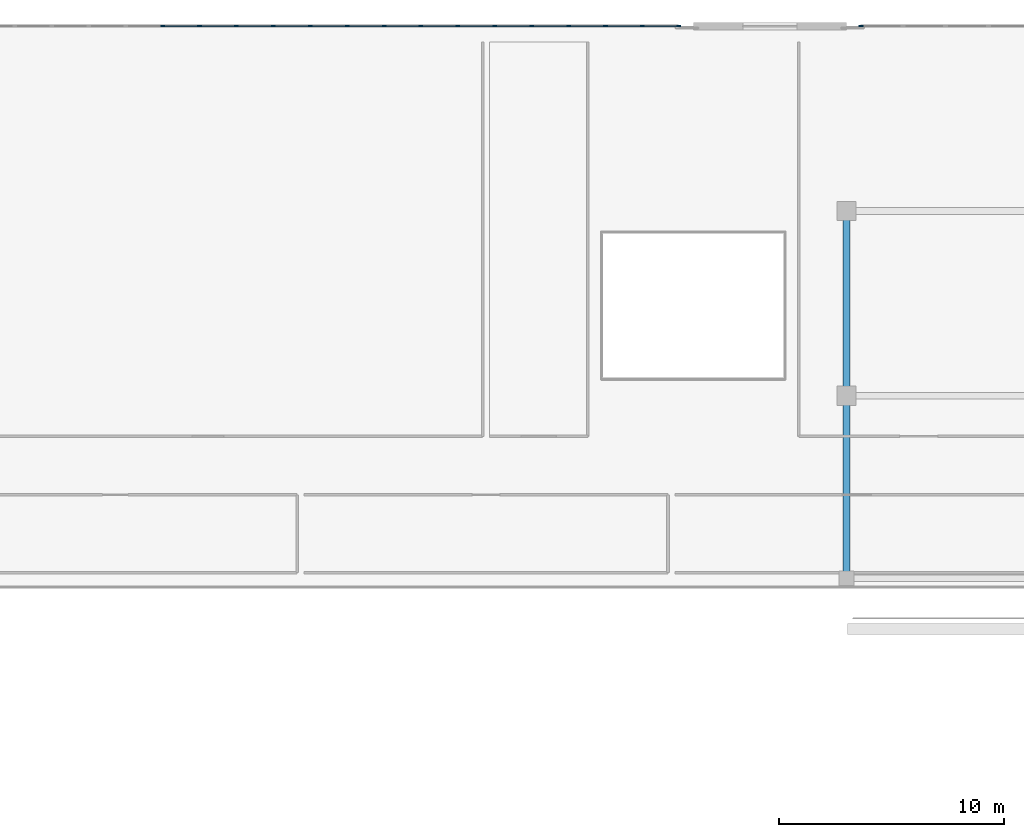
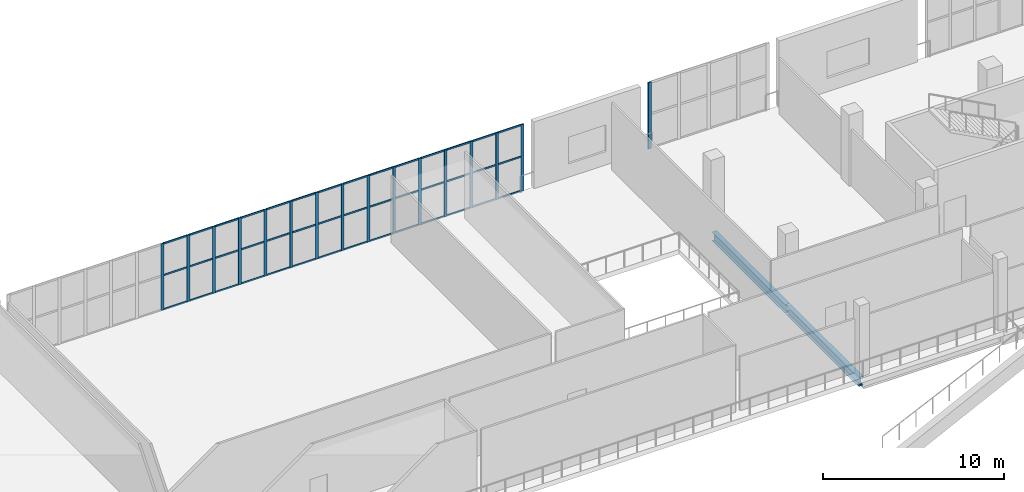
# One storey, part 53 of 129: 58 members, 2 beams, 2 elements without a shape of their own.
"""IFC4 building model written with IfcOpenShell, lengths in metres."""

from ifc_helpers import new_model, si_unit, direction, frame, origin, origin_2d, place, context, subcontext, project, spatial, rectangle, i_section, extrude, material, material_profile, profile_set, type_object, element, aggregate, save


model = new_model("IFC4")

# Units and contexts
model_context = context("Model", 3, precision=1e-05, world=origin(), true_north=direction((0.0, 1.0)))
body_context = subcontext(model_context, "Body", "Model", "MODEL_VIEW")
ifc_project = project(units=[si_unit("LENGTHUNIT", "METRE"), si_unit("AREAUNIT", "SQUARE_METRE"), si_unit("VOLUMEUNIT", "CUBIC_METRE"), si_unit("PLANEANGLEUNIT", "RADIAN"), si_unit("MASSUNIT", "GRAM", prefix="KILO")], contexts=[model_context])

# Site, building, storey
site_placement = place(None, origin())
site = spatial("IfcSite", under=ifc_project, at=site_placement, CompositionType="ELEMENT")
building_placement = place(site_placement, origin())
building = spatial("IfcBuilding", under=site, at=building_placement, Name="Koshinbarg Plaza Stadium", CompositionType="ELEMENT")
storey_placement = place(building_placement, frame((0.0, 0.0, 5.39990234375)))
storey = spatial("IfcBuildingStorey", under=building, at=storey_placement, Name="L01", CompositionType="ELEMENT", Elevation=5.39990234375)

# Beams
ifc_material_1 = material(Name="Steel S355", Category="steel")
ifc_material_profile_1 = material_profile(ifc_material_1, i_section(OverallWidth=0.300048828125, OverallDepth=0.60009765625, WebThickness=0.015380859375, FlangeThickness=0.030029296875, at=origin_2d()), Name="HEB 600")
ifc_profile_set_1 = profile_set([ifc_material_profile_1], Name="Steel S355")
beam_type = type_object("IfcBeamType", Name="BM-SGIR-02", PredefinedType="USERDEFINED", material=ifc_profile_set_1)
beam_1_placement = place(storey_placement, frame((162.800048828125, 127.56005859375, -0.619873046875), z_axis=(0.0, 1.0, 0.0), x_axis=(-1.0, 0.0, 0.0)))
element("IfcBeam", 1, at=beam_1_placement, inside=storey, type_object=beam_type, Name="L01 Y girder 15/S-T", ObjectType="GIRDER", PredefinedType="USERDEFINED", context=body_context, shape_type="SweptSolid", body=[
    extrude(i_section(OverallWidth=0.300048828125, OverallDepth=0.60009765625, WebThickness=0.015380859375, FlangeThickness=0.030029296875, at=origin_2d()), origin(), (0.0, 0.0, 1.0), 7.97998046875),
])
beam_2_placement = place(storey_placement, frame((162.800048828125, 135.659912109375, -0.619873046875), z_axis=(0.0, 1.0, 0.0), x_axis=(-1.0, 0.0, 0.0)))
element("IfcBeam", 2, at=beam_2_placement, inside=storey, type_object=beam_type, Name="L01 Y girder 15/T-U", ObjectType="GIRDER", PredefinedType="USERDEFINED", context=body_context, shape_type="SweptSolid", body=[
    extrude(i_section(OverallWidth=0.300048828125, OverallDepth=0.60009765625, WebThickness=0.015380859375, FlangeThickness=0.030029296875, at=origin_2d()), origin(), (0.0, 0.0, 1.0), 8.080078125),
])

# Curtain wall, members
ifc_material_2 = material(Name="Thermally broken anodised aluminium and low-E double glazing", Category="aluminium")
curtain_wall_type_1 = type_object("IfcCurtainWallType", Name="CW-SYS-15", PredefinedType="NOTDEFINED", material=ifc_material_2)
curtain_wall_1_placement = place(storey_placement, origin())
curtain_wall_1 = element("IfcCurtainWall", 3, at=curtain_wall_1_placement, inside=storey, type_object=curtain_wall_type_1, Name="L01 unitised curtain wall CW-L01-014", PredefinedType="NOTDEFINED")
ifc_material_3 = material(Name="Anodised aluminium mullion", Category="aluminium")
ifc_material_profile_2 = material_profile(ifc_material_3, rectangle(XDim=0.070068359375, YDim=0.179931640625, at=origin_2d()), Name="ALU 70x180")
ifc_profile_set_2 = profile_set([ifc_material_profile_2], Name="Anodised aluminium mullion")
member_type_1 = type_object("IfcMemberType", Name="CW-MUL-03", PredefinedType="MULLION", material=ifc_profile_set_2)
member_1_placement = place(storey_placement, frame((132.447998046875, 152.0, 0.0), z_axis=(0.0, 0.0, 1.0), x_axis=(0.0, 1.0, 0.0)))
member_1 = element("IfcMember", 4, at=member_1_placement, type_object=member_type_1, Name="CW15 mullion 7", PredefinedType="MULLION", context=body_context, shape_type="SweptSolid", body=[
    extrude(rectangle(XDim=0.070068359375, YDim=0.179931640625, at=origin_2d()), origin(), (0.0, 0.0, 1.0), 4.47998046875),
])
member_2_placement = place(storey_placement, frame((134.0859375, 152.0, 0.0), z_axis=(0.0, 0.0, 1.0), x_axis=(0.0, 1.0, 0.0)))
member_2 = element("IfcMember", 5, at=member_2_placement, type_object=member_type_1, Name="CW15 mullion 8", PredefinedType="MULLION", context=body_context, shape_type="SweptSolid", body=[
    extrude(rectangle(XDim=0.070068359375, YDim=0.179931640625, at=origin_2d()), origin(), (0.0, 0.0, 1.0), 4.47998046875),
])
member_3_placement = place(storey_placement, frame((135.72412109375, 152.0, 0.0), z_axis=(0.0, 0.0, 1.0), x_axis=(0.0, 1.0, 0.0)))
member_3 = element("IfcMember", 6, at=member_3_placement, type_object=member_type_1, Name="CW15 mullion 9", PredefinedType="MULLION", context=body_context, shape_type="SweptSolid", body=[
    extrude(rectangle(XDim=0.070068359375, YDim=0.179931640625, at=origin_2d()), origin(), (0.0, 0.0, 1.0), 4.47998046875),
])
member_4_placement = place(storey_placement, frame((137.362060546875, 152.0, 0.0), z_axis=(0.0, 0.0, 1.0), x_axis=(0.0, 1.0, 0.0)))
member_4 = element("IfcMember", 7, at=member_4_placement, type_object=member_type_1, Name="CW15 mullion 10", PredefinedType="MULLION", context=body_context, shape_type="SweptSolid", body=[
    extrude(rectangle(XDim=0.070068359375, YDim=0.179931640625, at=origin_2d()), origin(), (0.0, 0.0, 1.0), 4.47998046875),
])
member_5_placement = place(storey_placement, frame((139.0, 152.0, 0.0), z_axis=(0.0, 0.0, 1.0), x_axis=(0.0, 1.0, 0.0)))
member_5 = element("IfcMember", 8, at=member_5_placement, type_object=member_type_1, Name="CW15 mullion 11", PredefinedType="MULLION", context=body_context, shape_type="SweptSolid", body=[
    extrude(rectangle(XDim=0.070068359375, YDim=0.179931640625, at=origin_2d()), origin(), (0.0, 0.0, 1.0), 4.47998046875),
])
member_6_placement = place(storey_placement, frame((140.637939453125, 152.0, 0.0), z_axis=(0.0, 0.0, 1.0), x_axis=(0.0, 1.0, 0.0)))
member_6 = element("IfcMember", 9, at=member_6_placement, type_object=member_type_1, Name="CW15 mullion 12", PredefinedType="MULLION", context=body_context, shape_type="SweptSolid", body=[
    extrude(rectangle(XDim=0.070068359375, YDim=0.179931640625, at=origin_2d()), origin(), (0.0, 0.0, 1.0), 4.47998046875),
])
member_7_placement = place(storey_placement, frame((142.27587890625, 152.0, 0.0), z_axis=(0.0, 0.0, 1.0), x_axis=(0.0, 1.0, 0.0)))
member_7 = element("IfcMember", 10, at=member_7_placement, type_object=member_type_1, Name="CW15 mullion 13", PredefinedType="MULLION", context=body_context, shape_type="SweptSolid", body=[
    extrude(rectangle(XDim=0.070068359375, YDim=0.179931640625, at=origin_2d()), origin(), (0.0, 0.0, 1.0), 4.47998046875),
])
member_8_placement = place(storey_placement, frame((143.9140625, 152.0, 0.0), z_axis=(0.0, 0.0, 1.0), x_axis=(0.0, 1.0, 0.0)))
member_8 = element("IfcMember", 11, at=member_8_placement, type_object=member_type_1, Name="CW15 mullion 14", PredefinedType="MULLION", context=body_context, shape_type="SweptSolid", body=[
    extrude(rectangle(XDim=0.070068359375, YDim=0.179931640625, at=origin_2d()), origin(), (0.0, 0.0, 1.0), 4.47998046875),
])
member_9_placement = place(storey_placement, frame((145.552001953125, 152.0, 0.0), z_axis=(0.0, 0.0, 1.0), x_axis=(0.0, 1.0, 0.0)))
member_9 = element("IfcMember", 12, at=member_9_placement, type_object=member_type_1, Name="CW15 mullion 15", PredefinedType="MULLION", context=body_context, shape_type="SweptSolid", body=[
    extrude(rectangle(XDim=0.070068359375, YDim=0.179931640625, at=origin_2d()), origin(), (0.0, 0.0, 1.0), 4.47998046875),
])
member_10_placement = place(storey_placement, frame((147.18994140625, 152.0, 0.0), z_axis=(0.0, 0.0, 1.0), x_axis=(0.0, 1.0, 0.0)))
member_10 = element("IfcMember", 13, at=member_10_placement, type_object=member_type_1, Name="CW15 mullion 16", PredefinedType="MULLION", context=body_context, shape_type="SweptSolid", body=[
    extrude(rectangle(XDim=0.070068359375, YDim=0.179931640625, at=origin_2d()), origin(), (0.0, 0.0, 1.0), 4.47998046875),
])
member_11_placement = place(storey_placement, frame((148.827880859375, 152.0, 0.0), z_axis=(0.0, 0.0, 1.0), x_axis=(0.0, 1.0, 0.0)))
member_11 = element("IfcMember", 14, at=member_11_placement, type_object=member_type_1, Name="CW15 mullion 17", PredefinedType="MULLION", context=body_context, shape_type="SweptSolid", body=[
    extrude(rectangle(XDim=0.070068359375, YDim=0.179931640625, at=origin_2d()), origin(), (0.0, 0.0, 1.0), 4.47998046875),
])
member_12_placement = place(storey_placement, frame((150.466064453125, 152.0, 0.0), z_axis=(0.0, 0.0, 1.0), x_axis=(0.0, 1.0, 0.0)))
member_12 = element("IfcMember", 15, at=member_12_placement, type_object=member_type_1, Name="CW15 mullion 18", PredefinedType="MULLION", context=body_context, shape_type="SweptSolid", body=[
    extrude(rectangle(XDim=0.070068359375, YDim=0.179931640625, at=origin_2d()), origin(), (0.0, 0.0, 1.0), 4.47998046875),
])
member_13_placement = place(storey_placement, frame((152.10400390625, 152.0, 0.0), z_axis=(0.0, 0.0, 1.0), x_axis=(0.0, 1.0, 0.0)))
member_13 = element("IfcMember", 16, at=member_13_placement, type_object=member_type_1, Name="CW15 mullion 19", PredefinedType="MULLION", context=body_context, shape_type="SweptSolid", body=[
    extrude(rectangle(XDim=0.070068359375, YDim=0.179931640625, at=origin_2d()), origin(), (0.0, 0.0, 1.0), 4.47998046875),
])
member_14_placement = place(storey_placement, frame((153.741943359375, 152.0, 0.0), z_axis=(0.0, 0.0, 1.0), x_axis=(0.0, 1.0, 0.0)))
member_14 = element("IfcMember", 17, at=member_14_placement, type_object=member_type_1, Name="CW15 mullion 20", PredefinedType="MULLION", context=body_context, shape_type="SweptSolid", body=[
    extrude(rectangle(XDim=0.070068359375, YDim=0.179931640625, at=origin_2d()), origin(), (0.0, 0.0, 1.0), 4.47998046875),
])
member_15_placement = place(storey_placement, frame((155.35009765625, 152.0, 0.0), z_axis=(0.0, 0.0, 1.0), x_axis=(0.0, 1.0, 0.0)))
member_15 = element("IfcMember", 18, at=member_15_placement, type_object=member_type_1, Name="CW15 mullion 21", PredefinedType="MULLION", context=body_context, shape_type="SweptSolid", body=[
    extrude(rectangle(XDim=0.070068359375, YDim=0.179931640625, at=origin_2d()), origin(), (0.0, 0.0, 1.0), 4.47998046875),
])

# Curtain wall, member
curtain_wall_type_2 = type_object("IfcCurtainWallType", Name="CW-SYS-16", PredefinedType="NOTDEFINED", material=ifc_material_2)
curtain_wall_2_placement = place(storey_placement, origin())
curtain_wall_2 = element("IfcCurtainWall", 19, at=curtain_wall_2_placement, inside=storey, type_object=curtain_wall_type_2, Name="L01 unitised curtain wall CW-L01-015", PredefinedType="NOTDEFINED")
ifc_material_profile_3 = material_profile(ifc_material_3, rectangle(XDim=0.070068359375, YDim=0.199951171875, at=origin_2d()), Name="ALU 70x200")
ifc_profile_set_3 = profile_set([ifc_material_profile_3], Name="Anodised aluminium mullion")
member_type_2 = type_object("IfcMemberType", Name="CW-MUL-04", PredefinedType="MULLION", material=ifc_profile_set_3)
member_16_placement = place(storey_placement, frame((163.449951171875, 152.0, 0.0), z_axis=(0.0, 0.0, 1.0), x_axis=(0.0, 1.0, 0.0)))
member_16 = element("IfcMember", 20, at=member_16_placement, type_object=member_type_2, Name="CW16 mullion 1", PredefinedType="MULLION", context=body_context, shape_type="SweptSolid", body=[
    extrude(rectangle(XDim=0.070068359375, YDim=0.199951171875, at=origin_2d()), origin(), (0.0, 0.0, 1.0), 4.47998046875),
])
aggregate(curtain_wall_2, [member_16])

# Member
ifc_material_4 = material(Name="Anodised aluminium transom", Category="aluminium")
ifc_material_profile_4 = material_profile(ifc_material_4, rectangle(XDim=0.06005859375, YDim=0.110107421875, at=origin_2d()), Name="ALU 60x110")
ifc_profile_set_4 = profile_set([ifc_material_profile_4], Name="Anodised aluminium transom")
member_type_3 = type_object("IfcMemberType", Name="CW-TRN-01", PredefinedType="USERDEFINED", material=ifc_profile_set_4)
member_17_placement = place(storey_placement, frame((132.47802734375, 152.0, 0.030029296875), z_axis=(1.0, 0.0, 0.0), x_axis=(0.0, 1.0, 0.0)))
member_17 = element("IfcMember", 21, at=member_17_placement, type_object=member_type_3, Name="CW15 transom 7.1", ObjectType="TRANSOM", PredefinedType="USERDEFINED", context=body_context, shape_type="SweptSolid", body=[
    extrude(rectangle(XDim=0.06005859375, YDim=0.110107421875, at=origin_2d()), origin(), (0.0, 0.0, 1.0), 1.577880859375),
])

member_18_placement = place(storey_placement, frame((132.47802734375, 152.0, 2.32958984375), z_axis=(1.0, 0.0, 0.0), x_axis=(0.0, 1.0, 0.0)))
member_18 = element("IfcMember", 22, at=member_18_placement, type_object=member_type_3, Name="CW15 transom 7.2", ObjectType="TRANSOM", PredefinedType="USERDEFINED", context=body_context, shape_type="SweptSolid", body=[
    extrude(rectangle(XDim=0.06005859375, YDim=0.110107421875, at=origin_2d()), origin(), (0.0, 0.0, 1.0), 1.577880859375),
])

member_19_placement = place(storey_placement, frame((132.47802734375, 152.0, 4.4501953125), z_axis=(1.0, 0.0, 0.0), x_axis=(0.0, 1.0, 0.0)))
member_19 = element("IfcMember", 23, at=member_19_placement, type_object=member_type_3, Name="CW15 transom 7.3", ObjectType="TRANSOM", PredefinedType="USERDEFINED", context=body_context, shape_type="SweptSolid", body=[
    extrude(rectangle(XDim=0.06005859375, YDim=0.110107421875, at=origin_2d()), origin(), (0.0, 0.0, 1.0), 1.577880859375),
])

member_20_placement = place(storey_placement, frame((134.115966796875, 152.0, 0.030029296875), z_axis=(1.0, 0.0, 0.0), x_axis=(0.0, 1.0, 0.0)))
member_20 = element("IfcMember", 24, at=member_20_placement, type_object=member_type_3, Name="CW15 transom 8.1", ObjectType="TRANSOM", PredefinedType="USERDEFINED", context=body_context, shape_type="SweptSolid", body=[
    extrude(rectangle(XDim=0.06005859375, YDim=0.110107421875, at=origin_2d()), origin(), (0.0, 0.0, 1.0), 1.578125),
])

member_21_placement = place(storey_placement, frame((134.115966796875, 152.0, 2.32958984375), z_axis=(1.0, 0.0, 0.0), x_axis=(0.0, 1.0, 0.0)))
member_21 = element("IfcMember", 25, at=member_21_placement, type_object=member_type_3, Name="CW15 transom 8.2", ObjectType="TRANSOM", PredefinedType="USERDEFINED", context=body_context, shape_type="SweptSolid", body=[
    extrude(rectangle(XDim=0.06005859375, YDim=0.110107421875, at=origin_2d()), origin(), (0.0, 0.0, 1.0), 1.578125),
])

member_22_placement = place(storey_placement, frame((134.115966796875, 152.0, 4.4501953125), z_axis=(1.0, 0.0, 0.0), x_axis=(0.0, 1.0, 0.0)))
member_22 = element("IfcMember", 26, at=member_22_placement, type_object=member_type_3, Name="CW15 transom 8.3", ObjectType="TRANSOM", PredefinedType="USERDEFINED", context=body_context, shape_type="SweptSolid", body=[
    extrude(rectangle(XDim=0.06005859375, YDim=0.110107421875, at=origin_2d()), origin(), (0.0, 0.0, 1.0), 1.578125),
])

member_23_placement = place(storey_placement, frame((135.75390625, 152.0, 0.030029296875), z_axis=(1.0, 0.0, 0.0), x_axis=(0.0, 1.0, 0.0)))
member_23 = element("IfcMember", 27, at=member_23_placement, type_object=member_type_3, Name="CW15 transom 9.1", ObjectType="TRANSOM", PredefinedType="USERDEFINED", context=body_context, shape_type="SweptSolid", body=[
    extrude(rectangle(XDim=0.06005859375, YDim=0.110107421875, at=origin_2d()), origin(), (0.0, 0.0, 1.0), 1.578125),
])

member_24_placement = place(storey_placement, frame((135.75390625, 152.0, 2.32958984375), z_axis=(1.0, 0.0, 0.0), x_axis=(0.0, 1.0, 0.0)))
member_24 = element("IfcMember", 28, at=member_24_placement, type_object=member_type_3, Name="CW15 transom 9.2", ObjectType="TRANSOM", PredefinedType="USERDEFINED", context=body_context, shape_type="SweptSolid", body=[
    extrude(rectangle(XDim=0.06005859375, YDim=0.110107421875, at=origin_2d()), origin(), (0.0, 0.0, 1.0), 1.578125),
])

member_25_placement = place(storey_placement, frame((135.75390625, 152.0, 4.4501953125), z_axis=(1.0, 0.0, 0.0), x_axis=(0.0, 1.0, 0.0)))
member_25 = element("IfcMember", 29, at=member_25_placement, type_object=member_type_3, Name="CW15 transom 9.3", ObjectType="TRANSOM", PredefinedType="USERDEFINED", context=body_context, shape_type="SweptSolid", body=[
    extrude(rectangle(XDim=0.06005859375, YDim=0.110107421875, at=origin_2d()), origin(), (0.0, 0.0, 1.0), 1.578125),
])

member_26_placement = place(storey_placement, frame((137.39208984375, 152.0, 0.030029296875), z_axis=(1.0, 0.0, 0.0), x_axis=(0.0, 1.0, 0.0)))
member_26 = element("IfcMember", 30, at=member_26_placement, type_object=member_type_3, Name="CW15 transom 10.1", ObjectType="TRANSOM", PredefinedType="USERDEFINED", context=body_context, shape_type="SweptSolid", body=[
    extrude(rectangle(XDim=0.06005859375, YDim=0.110107421875, at=origin_2d()), origin(), (0.0, 0.0, 1.0), 1.577880859375),
])

member_27_placement = place(storey_placement, frame((137.39208984375, 152.0, 2.32958984375), z_axis=(1.0, 0.0, 0.0), x_axis=(0.0, 1.0, 0.0)))
member_27 = element("IfcMember", 31, at=member_27_placement, type_object=member_type_3, Name="CW15 transom 10.2", ObjectType="TRANSOM", PredefinedType="USERDEFINED", context=body_context, shape_type="SweptSolid", body=[
    extrude(rectangle(XDim=0.06005859375, YDim=0.110107421875, at=origin_2d()), origin(), (0.0, 0.0, 1.0), 1.577880859375),
])

member_28_placement = place(storey_placement, frame((137.39208984375, 152.0, 4.4501953125), z_axis=(1.0, 0.0, 0.0), x_axis=(0.0, 1.0, 0.0)))
member_28 = element("IfcMember", 32, at=member_28_placement, type_object=member_type_3, Name="CW15 transom 10.3", ObjectType="TRANSOM", PredefinedType="USERDEFINED", context=body_context, shape_type="SweptSolid", body=[
    extrude(rectangle(XDim=0.06005859375, YDim=0.110107421875, at=origin_2d()), origin(), (0.0, 0.0, 1.0), 1.577880859375),
])

member_29_placement = place(storey_placement, frame((139.030029296875, 152.0, 0.030029296875), z_axis=(1.0, 0.0, 0.0), x_axis=(0.0, 1.0, 0.0)))
member_29 = element("IfcMember", 33, at=member_29_placement, type_object=member_type_3, Name="CW15 transom 11.1", ObjectType="TRANSOM", PredefinedType="USERDEFINED", context=body_context, shape_type="SweptSolid", body=[
    extrude(rectangle(XDim=0.06005859375, YDim=0.110107421875, at=origin_2d()), origin(), (0.0, 0.0, 1.0), 1.577880859375),
])

member_30_placement = place(storey_placement, frame((139.030029296875, 152.0, 2.32958984375), z_axis=(1.0, 0.0, 0.0), x_axis=(0.0, 1.0, 0.0)))
member_30 = element("IfcMember", 34, at=member_30_placement, type_object=member_type_3, Name="CW15 transom 11.2", ObjectType="TRANSOM", PredefinedType="USERDEFINED", context=body_context, shape_type="SweptSolid", body=[
    extrude(rectangle(XDim=0.06005859375, YDim=0.110107421875, at=origin_2d()), origin(), (0.0, 0.0, 1.0), 1.577880859375),
])

member_31_placement = place(storey_placement, frame((139.030029296875, 152.0, 4.4501953125), z_axis=(1.0, 0.0, 0.0), x_axis=(0.0, 1.0, 0.0)))
member_31 = element("IfcMember", 35, at=member_31_placement, type_object=member_type_3, Name="CW15 transom 11.3", ObjectType="TRANSOM", PredefinedType="USERDEFINED", context=body_context, shape_type="SweptSolid", body=[
    extrude(rectangle(XDim=0.06005859375, YDim=0.110107421875, at=origin_2d()), origin(), (0.0, 0.0, 1.0), 1.577880859375),
])

member_32_placement = place(storey_placement, frame((140.66796875, 152.0, 0.030029296875), z_axis=(1.0, 0.0, 0.0), x_axis=(0.0, 1.0, 0.0)))
member_32 = element("IfcMember", 36, at=member_32_placement, type_object=member_type_3, Name="CW15 transom 12.1", ObjectType="TRANSOM", PredefinedType="USERDEFINED", context=body_context, shape_type="SweptSolid", body=[
    extrude(rectangle(XDim=0.06005859375, YDim=0.110107421875, at=origin_2d()), origin(), (0.0, 0.0, 1.0), 1.578125),
])

member_33_placement = place(storey_placement, frame((140.66796875, 152.0, 2.32958984375), z_axis=(1.0, 0.0, 0.0), x_axis=(0.0, 1.0, 0.0)))
member_33 = element("IfcMember", 37, at=member_33_placement, type_object=member_type_3, Name="CW15 transom 12.2", ObjectType="TRANSOM", PredefinedType="USERDEFINED", context=body_context, shape_type="SweptSolid", body=[
    extrude(rectangle(XDim=0.06005859375, YDim=0.110107421875, at=origin_2d()), origin(), (0.0, 0.0, 1.0), 1.578125),
])

member_34_placement = place(storey_placement, frame((140.66796875, 152.0, 4.4501953125), z_axis=(1.0, 0.0, 0.0), x_axis=(0.0, 1.0, 0.0)))
member_34 = element("IfcMember", 38, at=member_34_placement, type_object=member_type_3, Name="CW15 transom 12.3", ObjectType="TRANSOM", PredefinedType="USERDEFINED", context=body_context, shape_type="SweptSolid", body=[
    extrude(rectangle(XDim=0.06005859375, YDim=0.110107421875, at=origin_2d()), origin(), (0.0, 0.0, 1.0), 1.578125),
])

member_35_placement = place(storey_placement, frame((142.305908203125, 152.0, 0.030029296875), z_axis=(1.0, 0.0, 0.0), x_axis=(0.0, 1.0, 0.0)))
member_35 = element("IfcMember", 39, at=member_35_placement, type_object=member_type_3, Name="CW15 transom 13.1", ObjectType="TRANSOM", PredefinedType="USERDEFINED", context=body_context, shape_type="SweptSolid", body=[
    extrude(rectangle(XDim=0.06005859375, YDim=0.110107421875, at=origin_2d()), origin(), (0.0, 0.0, 1.0), 1.578125),
])

member_36_placement = place(storey_placement, frame((142.305908203125, 152.0, 2.32958984375), z_axis=(1.0, 0.0, 0.0), x_axis=(0.0, 1.0, 0.0)))
member_36 = element("IfcMember", 40, at=member_36_placement, type_object=member_type_3, Name="CW15 transom 13.2", ObjectType="TRANSOM", PredefinedType="USERDEFINED", context=body_context, shape_type="SweptSolid", body=[
    extrude(rectangle(XDim=0.06005859375, YDim=0.110107421875, at=origin_2d()), origin(), (0.0, 0.0, 1.0), 1.578125),
])

member_37_placement = place(storey_placement, frame((142.305908203125, 152.0, 4.4501953125), z_axis=(1.0, 0.0, 0.0), x_axis=(0.0, 1.0, 0.0)))
member_37 = element("IfcMember", 41, at=member_37_placement, type_object=member_type_3, Name="CW15 transom 13.3", ObjectType="TRANSOM", PredefinedType="USERDEFINED", context=body_context, shape_type="SweptSolid", body=[
    extrude(rectangle(XDim=0.06005859375, YDim=0.110107421875, at=origin_2d()), origin(), (0.0, 0.0, 1.0), 1.578125),
])

member_38_placement = place(storey_placement, frame((143.944091796875, 152.0, 0.030029296875), z_axis=(1.0, 0.0, 0.0), x_axis=(0.0, 1.0, 0.0)))
member_38 = element("IfcMember", 42, at=member_38_placement, type_object=member_type_3, Name="CW15 transom 14.1", ObjectType="TRANSOM", PredefinedType="USERDEFINED", context=body_context, shape_type="SweptSolid", body=[
    extrude(rectangle(XDim=0.06005859375, YDim=0.110107421875, at=origin_2d()), origin(), (0.0, 0.0, 1.0), 1.577880859375),
])

member_39_placement = place(storey_placement, frame((143.944091796875, 152.0, 2.32958984375), z_axis=(1.0, 0.0, 0.0), x_axis=(0.0, 1.0, 0.0)))
member_39 = element("IfcMember", 43, at=member_39_placement, type_object=member_type_3, Name="CW15 transom 14.2", ObjectType="TRANSOM", PredefinedType="USERDEFINED", context=body_context, shape_type="SweptSolid", body=[
    extrude(rectangle(XDim=0.06005859375, YDim=0.110107421875, at=origin_2d()), origin(), (0.0, 0.0, 1.0), 1.577880859375),
])

member_40_placement = place(storey_placement, frame((143.944091796875, 152.0, 4.4501953125), z_axis=(1.0, 0.0, 0.0), x_axis=(0.0, 1.0, 0.0)))
member_40 = element("IfcMember", 44, at=member_40_placement, type_object=member_type_3, Name="CW15 transom 14.3", ObjectType="TRANSOM", PredefinedType="USERDEFINED", context=body_context, shape_type="SweptSolid", body=[
    extrude(rectangle(XDim=0.06005859375, YDim=0.110107421875, at=origin_2d()), origin(), (0.0, 0.0, 1.0), 1.577880859375),
])

member_41_placement = place(storey_placement, frame((145.58203125, 152.0, 0.030029296875), z_axis=(1.0, 0.0, 0.0), x_axis=(0.0, 1.0, 0.0)))
member_41 = element("IfcMember", 45, at=member_41_placement, type_object=member_type_3, Name="CW15 transom 15.1", ObjectType="TRANSOM", PredefinedType="USERDEFINED", context=body_context, shape_type="SweptSolid", body=[
    extrude(rectangle(XDim=0.06005859375, YDim=0.110107421875, at=origin_2d()), origin(), (0.0, 0.0, 1.0), 1.577880859375),
])

member_42_placement = place(storey_placement, frame((145.58203125, 152.0, 2.32958984375), z_axis=(1.0, 0.0, 0.0), x_axis=(0.0, 1.0, 0.0)))
member_42 = element("IfcMember", 46, at=member_42_placement, type_object=member_type_3, Name="CW15 transom 15.2", ObjectType="TRANSOM", PredefinedType="USERDEFINED", context=body_context, shape_type="SweptSolid", body=[
    extrude(rectangle(XDim=0.06005859375, YDim=0.110107421875, at=origin_2d()), origin(), (0.0, 0.0, 1.0), 1.577880859375),
])

member_43_placement = place(storey_placement, frame((145.58203125, 152.0, 4.4501953125), z_axis=(1.0, 0.0, 0.0), x_axis=(0.0, 1.0, 0.0)))
member_43 = element("IfcMember", 47, at=member_43_placement, type_object=member_type_3, Name="CW15 transom 15.3", ObjectType="TRANSOM", PredefinedType="USERDEFINED", context=body_context, shape_type="SweptSolid", body=[
    extrude(rectangle(XDim=0.06005859375, YDim=0.110107421875, at=origin_2d()), origin(), (0.0, 0.0, 1.0), 1.577880859375),
])

member_44_placement = place(storey_placement, frame((147.219970703125, 152.0, 0.030029296875), z_axis=(1.0, 0.0, 0.0), x_axis=(0.0, 1.0, 0.0)))
member_44 = element("IfcMember", 48, at=member_44_placement, type_object=member_type_3, Name="CW15 transom 16.1", ObjectType="TRANSOM", PredefinedType="USERDEFINED", context=body_context, shape_type="SweptSolid", body=[
    extrude(rectangle(XDim=0.06005859375, YDim=0.110107421875, at=origin_2d()), origin(), (0.0, 0.0, 1.0), 1.578125),
])

member_45_placement = place(storey_placement, frame((147.219970703125, 152.0, 2.32958984375), z_axis=(1.0, 0.0, 0.0), x_axis=(0.0, 1.0, 0.0)))
member_45 = element("IfcMember", 49, at=member_45_placement, type_object=member_type_3, Name="CW15 transom 16.2", ObjectType="TRANSOM", PredefinedType="USERDEFINED", context=body_context, shape_type="SweptSolid", body=[
    extrude(rectangle(XDim=0.06005859375, YDim=0.110107421875, at=origin_2d()), origin(), (0.0, 0.0, 1.0), 1.578125),
])

member_46_placement = place(storey_placement, frame((147.219970703125, 152.0, 4.4501953125), z_axis=(1.0, 0.0, 0.0), x_axis=(0.0, 1.0, 0.0)))
member_46 = element("IfcMember", 50, at=member_46_placement, type_object=member_type_3, Name="CW15 transom 16.3", ObjectType="TRANSOM", PredefinedType="USERDEFINED", context=body_context, shape_type="SweptSolid", body=[
    extrude(rectangle(XDim=0.06005859375, YDim=0.110107421875, at=origin_2d()), origin(), (0.0, 0.0, 1.0), 1.578125),
])

member_47_placement = place(storey_placement, frame((148.85791015625, 152.0, 0.030029296875), z_axis=(1.0, 0.0, 0.0), x_axis=(0.0, 1.0, 0.0)))
member_47 = element("IfcMember", 51, at=member_47_placement, type_object=member_type_3, Name="CW15 transom 17.1", ObjectType="TRANSOM", PredefinedType="USERDEFINED", context=body_context, shape_type="SweptSolid", body=[
    extrude(rectangle(XDim=0.06005859375, YDim=0.110107421875, at=origin_2d()), origin(), (0.0, 0.0, 1.0), 1.578125),
])

member_48_placement = place(storey_placement, frame((148.85791015625, 152.0, 2.32958984375), z_axis=(1.0, 0.0, 0.0), x_axis=(0.0, 1.0, 0.0)))
member_48 = element("IfcMember", 52, at=member_48_placement, type_object=member_type_3, Name="CW15 transom 17.2", ObjectType="TRANSOM", PredefinedType="USERDEFINED", context=body_context, shape_type="SweptSolid", body=[
    extrude(rectangle(XDim=0.06005859375, YDim=0.110107421875, at=origin_2d()), origin(), (0.0, 0.0, 1.0), 1.578125),
])

member_49_placement = place(storey_placement, frame((148.85791015625, 152.0, 4.4501953125), z_axis=(1.0, 0.0, 0.0), x_axis=(0.0, 1.0, 0.0)))
member_49 = element("IfcMember", 53, at=member_49_placement, type_object=member_type_3, Name="CW15 transom 17.3", ObjectType="TRANSOM", PredefinedType="USERDEFINED", context=body_context, shape_type="SweptSolid", body=[
    extrude(rectangle(XDim=0.06005859375, YDim=0.110107421875, at=origin_2d()), origin(), (0.0, 0.0, 1.0), 1.578125),
])

member_50_placement = place(storey_placement, frame((150.49609375, 152.0, 0.030029296875), z_axis=(1.0, 0.0, 0.0), x_axis=(0.0, 1.0, 0.0)))
member_50 = element("IfcMember", 54, at=member_50_placement, type_object=member_type_3, Name="CW15 transom 18.1", ObjectType="TRANSOM", PredefinedType="USERDEFINED", context=body_context, shape_type="SweptSolid", body=[
    extrude(rectangle(XDim=0.06005859375, YDim=0.110107421875, at=origin_2d()), origin(), (0.0, 0.0, 1.0), 1.577880859375),
])

member_51_placement = place(storey_placement, frame((150.49609375, 152.0, 2.32958984375), z_axis=(1.0, 0.0, 0.0), x_axis=(0.0, 1.0, 0.0)))
member_51 = element("IfcMember", 55, at=member_51_placement, type_object=member_type_3, Name="CW15 transom 18.2", ObjectType="TRANSOM", PredefinedType="USERDEFINED", context=body_context, shape_type="SweptSolid", body=[
    extrude(rectangle(XDim=0.06005859375, YDim=0.110107421875, at=origin_2d()), origin(), (0.0, 0.0, 1.0), 1.577880859375),
])

member_52_placement = place(storey_placement, frame((150.49609375, 152.0, 4.4501953125), z_axis=(1.0, 0.0, 0.0), x_axis=(0.0, 1.0, 0.0)))
member_52 = element("IfcMember", 56, at=member_52_placement, type_object=member_type_3, Name="CW15 transom 18.3", ObjectType="TRANSOM", PredefinedType="USERDEFINED", context=body_context, shape_type="SweptSolid", body=[
    extrude(rectangle(XDim=0.06005859375, YDim=0.110107421875, at=origin_2d()), origin(), (0.0, 0.0, 1.0), 1.577880859375),
])

member_53_placement = place(storey_placement, frame((152.134033203125, 152.0, 0.030029296875), z_axis=(1.0, 0.0, 0.0), x_axis=(0.0, 1.0, 0.0)))
member_53 = element("IfcMember", 57, at=member_53_placement, type_object=member_type_3, Name="CW15 transom 19.1", ObjectType="TRANSOM", PredefinedType="USERDEFINED", context=body_context, shape_type="SweptSolid", body=[
    extrude(rectangle(XDim=0.06005859375, YDim=0.110107421875, at=origin_2d()), origin(), (0.0, 0.0, 1.0), 1.577880859375),
])

member_54_placement = place(storey_placement, frame((152.134033203125, 152.0, 2.32958984375), z_axis=(1.0, 0.0, 0.0), x_axis=(0.0, 1.0, 0.0)))
member_54 = element("IfcMember", 58, at=member_54_placement, type_object=member_type_3, Name="CW15 transom 19.2", ObjectType="TRANSOM", PredefinedType="USERDEFINED", context=body_context, shape_type="SweptSolid", body=[
    extrude(rectangle(XDim=0.06005859375, YDim=0.110107421875, at=origin_2d()), origin(), (0.0, 0.0, 1.0), 1.577880859375),
])

member_55_placement = place(storey_placement, frame((152.134033203125, 152.0, 4.4501953125), z_axis=(1.0, 0.0, 0.0), x_axis=(0.0, 1.0, 0.0)))
member_55 = element("IfcMember", 59, at=member_55_placement, type_object=member_type_3, Name="CW15 transom 19.3", ObjectType="TRANSOM", PredefinedType="USERDEFINED", context=body_context, shape_type="SweptSolid", body=[
    extrude(rectangle(XDim=0.06005859375, YDim=0.110107421875, at=origin_2d()), origin(), (0.0, 0.0, 1.0), 1.577880859375),
])

member_56_placement = place(storey_placement, frame((153.77197265625, 152.0, 0.030029296875), z_axis=(1.0, 0.0, 0.0), x_axis=(0.0, 1.0, 0.0)))
member_56 = element("IfcMember", 60, at=member_56_placement, type_object=member_type_3, Name="CW15 transom 20.1", ObjectType="TRANSOM", PredefinedType="USERDEFINED", context=body_context, shape_type="SweptSolid", body=[
    extrude(rectangle(XDim=0.06005859375, YDim=0.110107421875, at=origin_2d()), origin(), (0.0, 0.0, 1.0), 1.548095703125),
])

member_57_placement = place(storey_placement, frame((153.77197265625, 152.0, 2.32958984375), z_axis=(1.0, 0.0, 0.0), x_axis=(0.0, 1.0, 0.0)))
member_57 = element("IfcMember", 61, at=member_57_placement, type_object=member_type_3, Name="CW15 transom 20.2", ObjectType="TRANSOM", PredefinedType="USERDEFINED", context=body_context, shape_type="SweptSolid", body=[
    extrude(rectangle(XDim=0.06005859375, YDim=0.110107421875, at=origin_2d()), origin(), (0.0, 0.0, 1.0), 1.548095703125),
])

member_58_placement = place(storey_placement, frame((153.77197265625, 152.0, 4.4501953125), z_axis=(1.0, 0.0, 0.0), x_axis=(0.0, 1.0, 0.0)))
member_58 = element("IfcMember", 62, at=member_58_placement, type_object=member_type_3, Name="CW15 transom 20.3", ObjectType="TRANSOM", PredefinedType="USERDEFINED", context=body_context, shape_type="SweptSolid", body=[
    extrude(rectangle(XDim=0.06005859375, YDim=0.110107421875, at=origin_2d()), origin(), (0.0, 0.0, 1.0), 1.548095703125),
])

aggregate(curtain_wall_1, [member_1, member_2, member_3, member_4, member_5, member_6, member_7, member_8, member_9, member_10, member_11, member_12, member_13, member_14, member_15, member_17, member_18, member_19, member_20, member_21, member_22, member_23, member_24, member_25, member_26, member_27, member_28, member_29, member_30, member_31, member_32, member_33, member_34, member_35, member_36, member_37, member_38, member_39, member_40, member_41, member_42, member_43, member_44, member_45, member_46, member_47, member_48, member_49, member_50, member_51, member_52, member_53, member_54, member_55, member_56, member_57, member_58])

save(model, "model.ifc")
